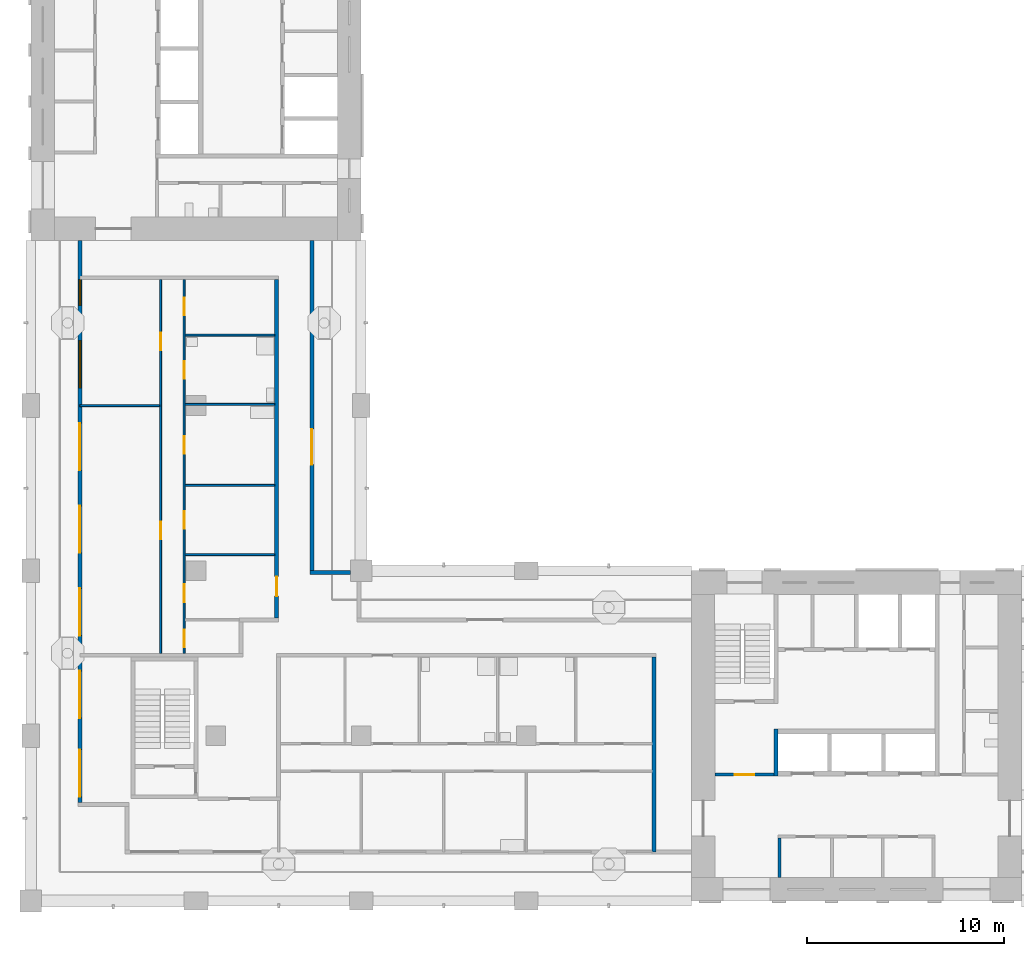
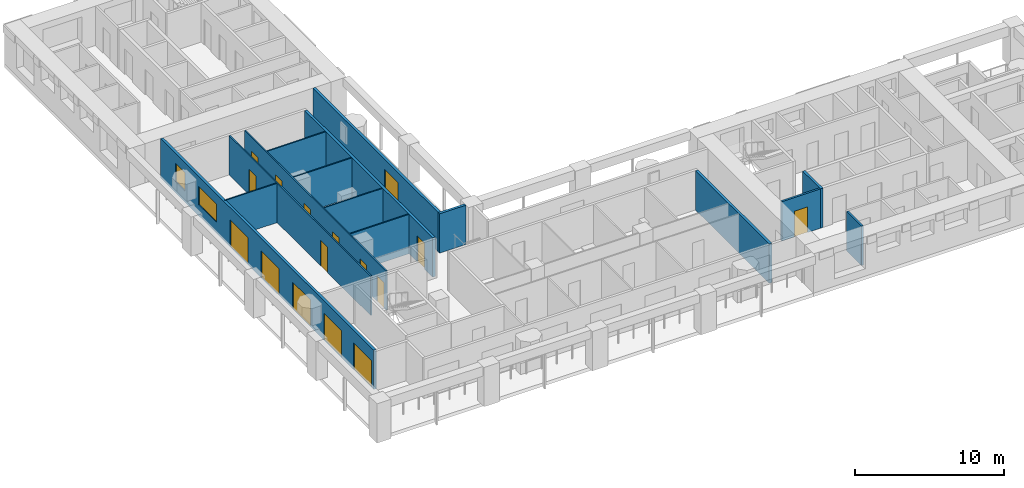
# One storey, part 3 of 13: 16 doors, 15 walls, 2 windows, 18 openings.
"""IFC4 building model written with IfcOpenShell, lengths in metres."""

from ifc_helpers import new_model, si_unit, direction, frame, frame_2d, origin, place, context, subcontext, project, spatial, rectangle, extrude, material, layer, layer_set, type_object, element, fill, save


model = new_model("IFC4")

# Units and contexts
model_context = context("Model", 3, precision=1e-05, world=origin(), true_north=direction((0.0, 1.0)))
body_context = subcontext(model_context, "Body", "Model", "MODEL_VIEW")
ifc_project = project(units=[si_unit("LENGTHUNIT", "METRE"), si_unit("AREAUNIT", "SQUARE_METRE"), si_unit("VOLUMEUNIT", "CUBIC_METRE"), si_unit("PLANEANGLEUNIT", "RADIAN"), si_unit("MASSUNIT", "GRAM", prefix="KILO")], contexts=[model_context])

# Site, building, storey
site_placement = place(None, origin())
site = spatial("IfcSite", under=ifc_project, at=site_placement, CompositionType="ELEMENT")
building_placement = place(site_placement, origin())
building = spatial("IfcBuilding", under=site, at=building_placement, Name="Vermilion Gate Residences", CompositionType="ELEMENT")
storey_placement = place(building_placement, frame((0.0, 0.0, 193.199951171875)))
storey = spatial("IfcBuildingStorey", under=building, at=storey_placement, Name="L50", CompositionType="ELEMENT", Elevation=193.199951171875)

# Wall
ifc_material_1 = material(Name="Masonry blockwork", Category="masonry")
ifc_layer_1 = layer(ifc_material_1, 0.14990234375)
ifc_layer_set_1 = layer_set([ifc_layer_1], Name="BLOCKWORK PARTITION 150 EI 120")
wall_type_1 = type_object("IfcWallType", Name="BLOCKWORK PARTITION 150 EI 120", PredefinedType="PARTITIONING", material=ifc_layer_set_1)
wall_1_placement = place(storey_placement, frame((46.47509765625, 9.60009765625, 0.0), z_axis=(0.0, 0.0, 1.0), x_axis=(0.0, 1.0, 0.0)))
element("IfcWall", 1, at=wall_1_placement, inside=storey, type_object=wall_type_1, Name="Core room partition A50-RW-W", PredefinedType="PARTITIONING", context=body_context, shape_type="SweptSolid", body=[
    extrude(rectangle(XDim=2.0, YDim=0.14990234375, at=frame_2d((1.0, 0.0))), origin(), (0.0, 0.0, 1.0), 3.219970703125),
])

# Wall, opening, door
wall_2_placement = place(storey_placement, frame((43.199951171875, 14.824951171875, 0.0), z_axis=(0.0, 0.0, 1.0), x_axis=(1.0, 0.0, 0.0)))
wall_2 = element("IfcWall", 2, at=wall_2_placement, inside=storey, type_object=wall_type_1, Name="Core room partition A50-VW-S", PredefinedType="PARTITIONING", context=body_context, shape_type="SweptSolid", body=[
    extrude(rectangle(XDim=3.0, YDim=0.14990234375, at=frame_2d((1.5, 0.0))), origin(), (0.0, 0.0, 1.0), 3.219970703125),
])
opening_1_placement = place(wall_2_placement, frame((1.0, 0.0, 0.0)))
opening_1 = element("IfcOpeningElement", 3, at=opening_1_placement, cuts=wall_2, Name="Opening DK50013", PredefinedType="OPENING", context=body_context, shape_type="SweptSolid", body=[
    extrude(rectangle(XDim=1.0, YDim=2.10009765625, at=frame_2d((0.5, 1.050048828125))), frame((0.0, 0.0849609375, 0.0), z_axis=(0.0, -1.0, 0.0), x_axis=(1.0, 0.0, 0.0)), (0.0, 0.0, 1.0), 0.169921875),
])
ifc_material_2 = material(Name="Steel", Category="steel")
door_type_1 = type_object("IfcDoorType", Name="FIRE DOOR FD60 1000 X 2100", OperationType="SINGLE_SWING_LEFT", PredefinedType="DOOR", material=ifc_material_2)
door_1_placement = place(opening_1_placement, frame((1.0, 0.0, 0.0), z_axis=(0.0, 0.0, 1.0), x_axis=(-1.0, 0.0, 0.0)))
door_1 = element("IfcDoor", 4, at=door_1_placement, inside=storey, type_object=door_type_1, Name="Stair vestibule door A50", OperationType="SINGLE_SWING_RIGHT", OverallHeight=2.10009765625, OverallWidth=1.0, PredefinedType="DOOR", context=body_context, shape_type="SweptSolid", body=[
    extrude(rectangle(XDim=1.0, YDim=2.10009765625, at=frame_2d((0.5, 1.050048828125))), frame((0.0, 0.02490234375, 0.0), z_axis=(0.0, -1.0, 0.0), x_axis=(1.0, 0.0, 0.0)), (0.0, 0.0, 1.0), 0.050048828125),
])
fill(opening_1, door_1)

# Wall, openings, doors, windows
ifc_material_3 = material(Name="Insulated steel stud wall with terracotta rainscreen", Category="masonry")
ifc_layer_2 = layer(ifc_material_3, 0.199951171875)
ifc_layer_set_2 = layer_set([ifc_layer_2], Name="EXTERNAL WALL 200 TERRACOTTA RAINSCREEN")
wall_type_2 = type_object("IfcWallType", Name="EXTERNAL WALL 200 TERRACOTTA RAINSCREEN", PredefinedType="SOLIDWALL", material=ifc_layer_set_2)
wall_3_placement = place(storey_placement, frame((10.89990234375, 42.0, 0.0), z_axis=(0.0, 0.0, 1.0), x_axis=(0.0, -1.0, 0.0)))
wall_3 = element("IfcWall", 5, at=wall_3_placement, inside=storey, type_object=wall_type_2, Name="External wall", PredefinedType="SOLIDWALL", context=body_context, shape_type="SweptSolid", body=[
    extrude(rectangle(XDim=28.60009765625, YDim=0.199951171875, at=frame_2d((14.300048828125, 0.0))), origin(), (0.0, 0.0, 1.0), 3.219970703125),
])
opening_2_placement = place(wall_3_placement, frame((25.89990234375, 0.0, 0.0)))
opening_2 = element("IfcOpeningElement", 6, at=opening_2_placement, cuts=wall_3, Name="Opening DE50001", PredefinedType="OPENING", context=body_context, shape_type="SweptSolid", body=[
    extrude(rectangle(XDim=2.39990234375, YDim=2.199951171875, at=frame_2d((1.199951171875, 1.10009765625))), frame((0.0, 0.10986328125, 0.0), z_axis=(0.0, -1.0, 0.0), x_axis=(1.0, 0.0, 0.0)), (0.0, 0.0, 1.0), 0.219970703125),
])
opening_3_placement = place(wall_3_placement, frame((21.89990234375, 0.0, 0.0)))
opening_3 = element("IfcOpeningElement", 7, at=opening_3_placement, cuts=wall_3, Name="Opening DE50002", PredefinedType="OPENING", context=body_context, shape_type="SweptSolid", body=[
    extrude(rectangle(XDim=2.39990234375, YDim=2.199951171875, at=frame_2d((1.199951171875, 1.10009765625))), frame((0.0, 0.10986328125, 0.0), z_axis=(0.0, -1.0, 0.0), x_axis=(1.0, 0.0, 0.0)), (0.0, 0.0, 1.0), 0.219970703125),
])
opening_4_placement = place(wall_3_placement, frame((17.699951171875, 0.0, 0.0)))
opening_4 = element("IfcOpeningElement", 8, at=opening_4_placement, cuts=wall_3, Name="Opening DE50003", PredefinedType="OPENING", context=body_context, shape_type="SweptSolid", body=[
    extrude(rectangle(XDim=2.39990234375, YDim=2.199951171875, at=frame_2d((1.199951171875, 1.10009765625))), frame((0.0, 0.10986328125, 0.0), z_axis=(0.0, -1.0, 0.0), x_axis=(1.0, 0.0, 0.0)), (0.0, 0.0, 1.0), 0.219970703125),
])
opening_5_placement = place(wall_3_placement, frame((13.5, 0.0, 0.0)))
opening_5 = element("IfcOpeningElement", 9, at=opening_5_placement, cuts=wall_3, Name="Opening DE50004", PredefinedType="OPENING", context=body_context, shape_type="SweptSolid", body=[
    extrude(rectangle(XDim=2.39990234375, YDim=2.199951171875, at=frame_2d((1.199951171875, 1.10009765625))), frame((0.0, 0.10986328125, 0.0), z_axis=(0.0, -1.0, 0.0), x_axis=(1.0, 0.0, 0.0)), (0.0, 0.0, 1.0), 0.219970703125),
])
opening_6_placement = place(wall_3_placement, frame((9.300048828125, 0.0, 0.0)))
opening_6 = element("IfcOpeningElement", 10, at=opening_6_placement, cuts=wall_3, Name="Opening DE50005", PredefinedType="OPENING", context=body_context, shape_type="SweptSolid", body=[
    extrude(rectangle(XDim=2.39990234375, YDim=2.199951171875, at=frame_2d((1.199951171875, 1.10009765625))), frame((0.0, 0.10986328125, 0.0), z_axis=(0.0, -1.0, 0.0), x_axis=(1.0, 0.0, 0.0)), (0.0, 0.0, 1.0), 0.219970703125),
])
opening_7_placement = place(wall_3_placement, frame((5.10009765625, 0.0, 0.89990234375)))
opening_7 = element("IfcOpeningElement", 11, at=opening_7_placement, cuts=wall_3, Name="Opening WE50006", PredefinedType="OPENING", context=body_context, shape_type="SweptSolid", body=[
    extrude(rectangle(XDim=2.39990234375, YDim=1.5, at=frame_2d((1.199951171875, 0.75))), frame((0.0, 0.10986328125, 0.0), z_axis=(0.0, -1.0, 0.0), x_axis=(1.0, 0.0, 0.0)), (0.0, 0.0, 1.0), 0.219970703125),
])
opening_8_placement = place(wall_3_placement, frame((2.0, 0.0, 0.89990234375)))
opening_8 = element("IfcOpeningElement", 12, at=opening_8_placement, cuts=wall_3, Name="Opening WE50007", PredefinedType="OPENING", context=body_context, shape_type="SweptSolid", body=[
    extrude(rectangle(XDim=1.300048828125, YDim=1.5, at=frame_2d((0.64990234375, 0.75))), frame((0.0, 0.10986328125, 0.0), z_axis=(0.0, -1.0, 0.0), x_axis=(1.0, 0.0, 0.0)), (0.0, 0.0, 1.0), 0.219970703125),
])
ifc_material_4 = material(Name="Aluminium and clear glass", Category="aluminium")
door_type_2 = type_object("IfcDoorType", Name="SLIDING GLAZED DOOR 2400 X 2200", OperationType="DOUBLE_DOOR_SLIDING", PredefinedType="DOOR", material=ifc_material_4)
door_2_placement = place(opening_2_placement, origin())
door_2 = element("IfcDoor", 13, at=door_2_placement, inside=storey, type_object=door_type_2, Name="Loggia sliding door", OperationType="DOUBLE_DOOR_SLIDING", OverallHeight=2.199951171875, OverallWidth=2.39990234375, PredefinedType="DOOR", context=body_context, shape_type="SweptSolid", body=[
    extrude(rectangle(XDim=2.39990234375, YDim=2.199951171875, at=frame_2d((1.199951171875, 1.10009765625))), frame((0.0, 0.02490234375, 0.0), z_axis=(0.0, -1.0, 0.0), x_axis=(1.0, 0.0, 0.0)), (0.0, 0.0, 1.0), 0.050048828125),
])
fill(opening_2, door_2)
door_3_placement = place(opening_3_placement, origin())
door_3 = element("IfcDoor", 14, at=door_3_placement, inside=storey, type_object=door_type_2, Name="Loggia sliding door", OperationType="DOUBLE_DOOR_SLIDING", OverallHeight=2.199951171875, OverallWidth=2.39990234375, PredefinedType="DOOR", context=body_context, shape_type="SweptSolid", body=[
    extrude(rectangle(XDim=2.39990234375, YDim=2.199951171875, at=frame_2d((1.199951171875, 1.10009765625))), frame((0.0, 0.02490234375, 0.0), z_axis=(0.0, -1.0, 0.0), x_axis=(1.0, 0.0, 0.0)), (0.0, 0.0, 1.0), 0.050048828125),
])
fill(opening_3, door_3)
door_4_placement = place(opening_4_placement, origin())
door_4 = element("IfcDoor", 15, at=door_4_placement, inside=storey, type_object=door_type_2, Name="Loggia sliding door", OperationType="DOUBLE_DOOR_SLIDING", OverallHeight=2.199951171875, OverallWidth=2.39990234375, PredefinedType="DOOR", context=body_context, shape_type="SweptSolid", body=[
    extrude(rectangle(XDim=2.39990234375, YDim=2.199951171875, at=frame_2d((1.199951171875, 1.10009765625))), frame((0.0, 0.02490234375, 0.0), z_axis=(0.0, -1.0, 0.0), x_axis=(1.0, 0.0, 0.0)), (0.0, 0.0, 1.0), 0.050048828125),
])
fill(opening_4, door_4)
door_5_placement = place(opening_5_placement, origin())
door_5 = element("IfcDoor", 16, at=door_5_placement, inside=storey, type_object=door_type_2, Name="Loggia sliding door", OperationType="DOUBLE_DOOR_SLIDING", OverallHeight=2.199951171875, OverallWidth=2.39990234375, PredefinedType="DOOR", context=body_context, shape_type="SweptSolid", body=[
    extrude(rectangle(XDim=2.39990234375, YDim=2.199951171875, at=frame_2d((1.199951171875, 1.10009765625))), frame((0.0, 0.02490234375, 0.0), z_axis=(0.0, -1.0, 0.0), x_axis=(1.0, 0.0, 0.0)), (0.0, 0.0, 1.0), 0.050048828125),
])
fill(opening_5, door_5)
door_6_placement = place(opening_6_placement, origin())
door_6 = element("IfcDoor", 17, at=door_6_placement, inside=storey, type_object=door_type_2, Name="Loggia sliding door", OperationType="DOUBLE_DOOR_SLIDING", OverallHeight=2.199951171875, OverallWidth=2.39990234375, PredefinedType="DOOR", context=body_context, shape_type="SweptSolid", body=[
    extrude(rectangle(XDim=2.39990234375, YDim=2.199951171875, at=frame_2d((1.199951171875, 1.10009765625))), frame((0.0, 0.02490234375, 0.0), z_axis=(0.0, -1.0, 0.0), x_axis=(1.0, 0.0, 0.0)), (0.0, 0.0, 1.0), 0.050048828125),
])
fill(opening_6, door_6)
ifc_material_5 = material(Name="Aluminium and clear glass", Category="aluminium")
window_type_1 = type_object("IfcWindowType", Name="WINDOW 1300 X 1500", PartitioningType="SINGLE_PANEL", PredefinedType="WINDOW", material=ifc_material_5)
window_1_placement = place(opening_8_placement, origin())
window_1 = element("IfcWindow", 18, at=window_1_placement, inside=storey, type_object=window_type_1, Name="Window", OverallHeight=1.5, OverallWidth=1.300048828125, PartitioningType="SINGLE_PANEL", PredefinedType="WINDOW", context=body_context, shape_type="SweptSolid", body=[
    extrude(rectangle(XDim=1.300048828125, YDim=1.5, at=frame_2d((0.64990234375, 0.75))), frame((0.0, 0.030029296875, 0.0), z_axis=(0.0, -1.0, 0.0), x_axis=(1.0, 0.0, 0.0)), (0.0, 0.0, 1.0), 0.06005859375),
])
fill(opening_8, window_1)
ifc_material_6 = material(Name="Aluminium and clear glass", Category="aluminium")
window_type_2 = type_object("IfcWindowType", Name="WINDOW 2400 X 1500", PartitioningType="SINGLE_PANEL", PredefinedType="WINDOW", material=ifc_material_6)
window_2_placement = place(opening_7_placement, origin())
window_2 = element("IfcWindow", 19, at=window_2_placement, inside=storey, type_object=window_type_2, Name="Window", OverallHeight=1.5, OverallWidth=2.39990234375, PartitioningType="SINGLE_PANEL", PredefinedType="WINDOW", context=body_context, shape_type="SweptSolid", body=[
    extrude(rectangle(XDim=2.39990234375, YDim=1.5, at=frame_2d((1.199951171875, 0.75))), frame((0.0, 0.030029296875, 0.0), z_axis=(0.0, -1.0, 0.0), x_axis=(1.0, 0.0, 0.0)), (0.0, 0.0, 1.0), 0.06005859375),
])
fill(opening_7, window_2)

# Wall
wall_4_placement = place(storey_placement, frame((24.64990234375, 25.10009765625, 0.0), z_axis=(0.0, 0.0, 1.0), x_axis=(-1.0, 0.0, 0.0)))
element("IfcWall", 20, at=wall_4_placement, inside=storey, type_object=wall_type_2, Name="External wall", PredefinedType="SOLIDWALL", context=body_context, shape_type="SweptSolid", body=[
    extrude(rectangle(XDim=2.0498046875, YDim=0.199951171875, at=frame_2d((1.02490234375, 0.0))), origin(), (0.0, 0.0, 1.0), 3.219970703125),
])

# Wall, opening, door
wall_5_placement = place(storey_placement, frame((22.699951171875, 25.199951171875, 0.0), z_axis=(0.0, 0.0, 1.0), x_axis=(0.0, 1.0, 0.0)))
wall_5 = element("IfcWall", 21, at=wall_5_placement, inside=storey, type_object=wall_type_2, Name="External wall", PredefinedType="SOLIDWALL", context=body_context, shape_type="SweptSolid", body=[
    extrude(rectangle(XDim=16.800048828125, YDim=0.199951171875, at=frame_2d((8.39990234375, 0.0))), origin(), (0.0, 0.0, 1.0), 3.219970703125),
])
opening_9_placement = place(wall_5_placement, frame((5.39990234375, 0.0, 0.0)))
opening_9 = element("IfcOpeningElement", 22, at=opening_9_placement, cuts=wall_5, Name="Opening DE50021", PredefinedType="OPENING", context=body_context, shape_type="SweptSolid", body=[
    extrude(rectangle(XDim=1.800048828125, YDim=2.39990234375, at=frame_2d((0.89990234375, 1.199951171875))), frame((0.0, 0.10986328125, 0.0), z_axis=(0.0, -1.0, 0.0), x_axis=(1.0, 0.0, 0.0)), (0.0, 0.0, 1.0), 0.219970703125),
])
ifc_material_7 = material(Name="Aluminium and clear glass", Category="aluminium")
door_type_3 = type_object("IfcDoorType", Name="GLAZED EXTERNAL DOOR 1800 X 2400", OperationType="DOUBLE_DOOR_SINGLE_SWING", PredefinedType="DOOR", material=ifc_material_7)
door_7_placement = place(opening_9_placement, frame((1.800048828125, 0.0, 0.0), z_axis=(0.0, 0.0, 1.0), x_axis=(-1.0, 0.0, 0.0)))
door_7 = element("IfcDoor", 23, at=door_7_placement, inside=storey, type_object=door_type_3, Name="Gallery door", OperationType="DOUBLE_DOOR_SINGLE_SWING", OverallHeight=2.39990234375, OverallWidth=1.800048828125, PredefinedType="DOOR", context=body_context, shape_type="SweptSolid", body=[
    extrude(rectangle(XDim=1.800048828125, YDim=2.39990234375, at=frame_2d((0.89990234375, 1.199951171875))), frame((0.0, 0.02490234375, 0.0), z_axis=(0.0, -1.0, 0.0), x_axis=(1.0, 0.0, 0.0)), (0.0, 0.0, 1.0), 0.050048828125),
])
fill(opening_9, door_7)

# Walls
ifc_material_8 = material(Name="Plasterboard on steel studs", Category="steel")
ifc_layer_3 = layer(ifc_material_8, 0.10009765625)
ifc_layer_set_3 = layer_set([ifc_layer_3], Name="PARTITION 100")
wall_type_3 = type_object("IfcWallType", Name="PARTITION 100", PredefinedType="PARTITIONING", material=ifc_layer_set_3)
for number, where, z_axis, x_axis, name in (
    (24, (16.25, 26.02001953125, 0.0), (0.0, 0.0, 1.0), (1.0, 0.0, 0.0), "Partition"),
    (25, (16.25, 29.5400390625, 0.0), (0.0, 0.0, 1.0), (1.0, 0.0, 0.0), "Partition"),
):
    element("IfcWall", number, at=place(storey_placement, frame(where, z_axis=z_axis, x_axis=x_axis)), inside=storey, type_object=wall_type_3, Name=name, PredefinedType="PARTITIONING", context=body_context, shape_type="SweptSolid", body=[
        extrude(rectangle(XDim=4.550048828125, YDim=0.10009765625, at=frame_2d((2.27490234375, 0.0))), origin(), (0.0, 0.0, 1.0), 3.219970703125),
    ])
wall_6_placement = place(storey_placement, frame((10.89990234375, 33.60009765625, 0.0), z_axis=(0.0, 0.0, 1.0), x_axis=(1.0, 0.0, 0.0)))
element("IfcWall", 26, at=wall_6_placement, inside=storey, type_object=wall_type_3, Name="Partition", PredefinedType="PARTITIONING", context=body_context, shape_type="SweptSolid", body=[
    extrude(rectangle(XDim=4.050048828125, YDim=0.10009765625, at=frame_2d((2.02490234375, 0.0))), origin(), (0.0, 0.0, 1.0), 3.219970703125),
])
for number, where, z_axis, x_axis, name in (
    (27, (16.25, 33.659912109375, 0.0), (0.0, 0.0, 1.0), (1.0, 0.0, 0.0), "Partition"),
    (28, (16.25, 37.179931640625, 0.0), (0.0, 0.0, 1.0), (1.0, 0.0, 0.0), "Partition"),
):
    element("IfcWall", number, at=place(storey_placement, frame(where, z_axis=z_axis, x_axis=x_axis)), inside=storey, type_object=wall_type_3, Name=name, PredefinedType="PARTITIONING", context=body_context, shape_type="SweptSolid", body=[
        extrude(rectangle(XDim=4.550048828125, YDim=0.10009765625, at=frame_2d((2.27490234375, 0.0))), origin(), (0.0, 0.0, 1.0), 3.219970703125),
    ])

# Wall, openings, doors
wall_7_placement = place(storey_placement, frame((15.0, 21.0, 0.0), z_axis=(0.0, 0.0, 1.0), x_axis=(0.0, 1.0, 0.0)))
wall_7 = element("IfcWall", 29, at=wall_7_placement, inside=storey, type_object=wall_type_3, Name="Partition", PredefinedType="PARTITIONING", context=body_context, shape_type="SweptSolid", body=[
    extrude(rectangle(XDim=19.0, YDim=0.10009765625, at=frame_2d((9.5, 0.0))), origin(), (0.0, 0.0, 1.0), 3.219970703125),
])
opening_10_placement = place(wall_7_placement, frame((5.800048828125, 0.0, 0.0)))
opening_10 = element("IfcOpeningElement", 30, at=opening_10_placement, cuts=wall_7, Name="Opening DA49012", PredefinedType="OPENING", context=body_context, shape_type="SweptSolid", body=[
    extrude(rectangle(XDim=0.89990234375, YDim=2.10009765625, at=frame_2d((0.449951171875, 1.050048828125))), frame((0.0, 0.06005859375, 0.0), z_axis=(0.0, -1.0, 0.0), x_axis=(1.0, 0.0, 0.0)), (0.0, 0.0, 1.0), 0.1201171875),
])
opening_11_placement = place(wall_7_placement, frame((15.39990234375, 0.0, 0.0)))
opening_11 = element("IfcOpeningElement", 31, at=opening_11_placement, cuts=wall_7, Name="Opening DA49013", PredefinedType="OPENING", context=body_context, shape_type="SweptSolid", body=[
    extrude(rectangle(XDim=0.89990234375, YDim=2.10009765625, at=frame_2d((0.449951171875, 1.050048828125))), frame((0.0, 0.06005859375, 0.0), z_axis=(0.0, -1.0, 0.0), x_axis=(1.0, 0.0, 0.0)), (0.0, 0.0, 1.0), 0.1201171875),
])
ifc_material_9 = material(Name="Timber", Category="wood")
door_type_4 = type_object("IfcDoorType", Name="INTERIOR DOOR 900 X 2100", OperationType="SINGLE_SWING_LEFT", PredefinedType="DOOR", material=ifc_material_9)
door_8_placement = place(opening_10_placement, origin())
door_8 = element("IfcDoor", 32, at=door_8_placement, inside=storey, type_object=door_type_4, Name="Interior door", OperationType="SINGLE_SWING_LEFT", OverallHeight=2.10009765625, OverallWidth=0.89990234375, PredefinedType="DOOR", context=body_context, shape_type="SweptSolid", body=[
    extrude(rectangle(XDim=0.89990234375, YDim=2.10009765625, at=frame_2d((0.449951171875, 1.050048828125))), frame((0.0, 0.02490234375, 0.0), z_axis=(0.0, -1.0, 0.0), x_axis=(1.0, 0.0, 0.0)), (0.0, 0.0, 1.0), 0.050048828125),
])
fill(opening_10, door_8)
door_9_placement = place(opening_11_placement, origin())
door_9 = element("IfcDoor", 33, at=door_9_placement, inside=storey, type_object=door_type_4, Name="Interior door", OperationType="SINGLE_SWING_RIGHT", OverallHeight=2.10009765625, OverallWidth=0.89990234375, PredefinedType="DOOR", context=body_context, shape_type="SweptSolid", body=[
    extrude(rectangle(XDim=0.89990234375, YDim=2.10009765625, at=frame_2d((0.449951171875, 1.050048828125))), frame((0.0, 0.02490234375, 0.0), z_axis=(0.0, -1.0, 0.0), x_axis=(1.0, 0.0, 0.0)), (0.0, 0.0, 1.0), 0.050048828125),
])
fill(opening_11, door_9)

wall_8_placement = place(storey_placement, frame((16.199951171875, 21.0, 0.0), z_axis=(0.0, 0.0, 1.0), x_axis=(0.0, 1.0, 0.0)))
wall_8 = element("IfcWall", 34, at=wall_8_placement, inside=storey, type_object=wall_type_3, Name="Partition", PredefinedType="PARTITIONING", context=body_context, shape_type="SweptSolid", body=[
    extrude(rectangle(XDim=19.0, YDim=0.10009765625, at=frame_2d((9.5, 0.0))), origin(), (0.0, 0.0, 1.0), 3.219970703125),
])
opening_12_placement = place(wall_8_placement, frame((2.60009765625, 0.0, 0.0)))
opening_12 = element("IfcOpeningElement", 35, at=opening_12_placement, cuts=wall_8, Name="Opening DA49014", PredefinedType="OPENING", context=body_context, shape_type="SweptSolid", body=[
    extrude(rectangle(XDim=0.89990234375, YDim=2.10009765625, at=frame_2d((0.449951171875, 1.050048828125))), frame((0.0, 0.06005859375, 0.0), z_axis=(0.0, -1.0, 0.0), x_axis=(1.0, 0.0, 0.0)), (0.0, 0.0, 1.0), 0.1201171875),
])
opening_13_placement = place(wall_8_placement, frame((0.300048828125, 0.0, 0.0)))
opening_13 = element("IfcOpeningElement", 36, at=opening_13_placement, cuts=wall_8, Name="Opening DA49015", PredefinedType="OPENING", context=body_context, shape_type="SweptSolid", body=[
    extrude(rectangle(XDim=0.89990234375, YDim=2.10009765625, at=frame_2d((0.449951171875, 1.050048828125))), frame((0.0, 0.06005859375, 0.0), z_axis=(0.0, -1.0, 0.0), x_axis=(1.0, 0.0, 0.0)), (0.0, 0.0, 1.0), 0.1201171875),
])
opening_14_placement = place(wall_8_placement, frame((6.320068359375, 0.0, 0.0)))
opening_14 = element("IfcOpeningElement", 37, at=opening_14_placement, cuts=wall_8, Name="Opening DA49016", PredefinedType="OPENING", context=body_context, shape_type="SweptSolid", body=[
    extrude(rectangle(XDim=0.89990234375, YDim=2.10009765625, at=frame_2d((0.449951171875, 1.050048828125))), frame((0.0, 0.06005859375, 0.0), z_axis=(0.0, -1.0, 0.0), x_axis=(1.0, 0.0, 0.0)), (0.0, 0.0, 1.0), 0.1201171875),
])
opening_15_placement = place(wall_8_placement, frame((10.139892578125, 0.0, 0.0)))
opening_15 = element("IfcOpeningElement", 38, at=opening_15_placement, cuts=wall_8, Name="Opening DA49017", PredefinedType="OPENING", context=body_context, shape_type="SweptSolid", body=[
    extrude(rectangle(XDim=0.89990234375, YDim=2.10009765625, at=frame_2d((0.449951171875, 1.050048828125))), frame((0.0, 0.06005859375, 0.0), z_axis=(0.0, -1.0, 0.0), x_axis=(1.0, 0.0, 0.0)), (0.0, 0.0, 1.0), 0.1201171875),
])
opening_16_placement = place(wall_8_placement, frame((13.9599609375, 0.0, 0.0)))
opening_16 = element("IfcOpeningElement", 39, at=opening_16_placement, cuts=wall_8, Name="Opening DA49018", PredefinedType="OPENING", context=body_context, shape_type="SweptSolid", body=[
    extrude(rectangle(XDim=0.89990234375, YDim=2.10009765625, at=frame_2d((0.449951171875, 1.050048828125))), frame((0.0, 0.06005859375, 0.0), z_axis=(0.0, -1.0, 0.0), x_axis=(1.0, 0.0, 0.0)), (0.0, 0.0, 1.0), 0.1201171875),
])
opening_17_placement = place(wall_8_placement, frame((17.179931640625, 0.0, 0.0)))
opening_17 = element("IfcOpeningElement", 40, at=opening_17_placement, cuts=wall_8, Name="Opening DA49019", PredefinedType="OPENING", context=body_context, shape_type="SweptSolid", body=[
    extrude(rectangle(XDim=0.89990234375, YDim=2.10009765625, at=frame_2d((0.449951171875, 1.050048828125))), frame((0.0, 0.06005859375, 0.0), z_axis=(0.0, -1.0, 0.0), x_axis=(1.0, 0.0, 0.0)), (0.0, 0.0, 1.0), 0.1201171875),
])
door_10_placement = place(opening_12_placement, frame((0.89990234375, 0.0, 0.0), z_axis=(0.0, 0.0, 1.0), x_axis=(-1.0, 0.0, 0.0)))
door_10 = element("IfcDoor", 41, at=door_10_placement, inside=storey, type_object=door_type_4, Name="Interior door", OperationType="SINGLE_SWING_LEFT", OverallHeight=2.10009765625, OverallWidth=0.89990234375, PredefinedType="DOOR", context=body_context, shape_type="SweptSolid", body=[
    extrude(rectangle(XDim=0.89990234375, YDim=2.10009765625, at=frame_2d((0.449951171875, 1.050048828125))), frame((0.0, 0.02490234375, 0.0), z_axis=(0.0, -1.0, 0.0), x_axis=(1.0, 0.0, 0.0)), (0.0, 0.0, 1.0), 0.050048828125),
])
fill(opening_12, door_10)
door_11_placement = place(opening_13_placement, frame((0.89990234375, 0.0, 0.0), z_axis=(0.0, 0.0, 1.0), x_axis=(-1.0, 0.0, 0.0)))
door_11 = element("IfcDoor", 42, at=door_11_placement, inside=storey, type_object=door_type_4, Name="Interior door", OperationType="SINGLE_SWING_RIGHT", OverallHeight=2.10009765625, OverallWidth=0.89990234375, PredefinedType="DOOR", context=body_context, shape_type="SweptSolid", body=[
    extrude(rectangle(XDim=0.89990234375, YDim=2.10009765625, at=frame_2d((0.449951171875, 1.050048828125))), frame((0.0, 0.02490234375, 0.0), z_axis=(0.0, -1.0, 0.0), x_axis=(1.0, 0.0, 0.0)), (0.0, 0.0, 1.0), 0.050048828125),
])
fill(opening_13, door_11)
door_12_placement = place(opening_14_placement, frame((0.89990234375, 0.0, 0.0), z_axis=(0.0, 0.0, 1.0), x_axis=(-1.0, 0.0, 0.0)))
door_12 = element("IfcDoor", 43, at=door_12_placement, inside=storey, type_object=door_type_4, Name="Interior door", OperationType="SINGLE_SWING_RIGHT", OverallHeight=2.10009765625, OverallWidth=0.89990234375, PredefinedType="DOOR", context=body_context, shape_type="SweptSolid", body=[
    extrude(rectangle(XDim=0.89990234375, YDim=2.10009765625, at=frame_2d((0.449951171875, 1.050048828125))), frame((0.0, 0.02490234375, 0.0), z_axis=(0.0, -1.0, 0.0), x_axis=(1.0, 0.0, 0.0)), (0.0, 0.0, 1.0), 0.050048828125),
])
fill(opening_14, door_12)
door_13_placement = place(opening_15_placement, frame((0.89990234375, 0.0, 0.0), z_axis=(0.0, 0.0, 1.0), x_axis=(-1.0, 0.0, 0.0)))
door_13 = element("IfcDoor", 44, at=door_13_placement, inside=storey, type_object=door_type_4, Name="Interior door", OperationType="SINGLE_SWING_LEFT", OverallHeight=2.10009765625, OverallWidth=0.89990234375, PredefinedType="DOOR", context=body_context, shape_type="SweptSolid", body=[
    extrude(rectangle(XDim=0.89990234375, YDim=2.10009765625, at=frame_2d((0.449951171875, 1.050048828125))), frame((0.0, 0.02490234375, 0.0), z_axis=(0.0, -1.0, 0.0), x_axis=(1.0, 0.0, 0.0)), (0.0, 0.0, 1.0), 0.050048828125),
])
fill(opening_15, door_13)
door_14_placement = place(opening_16_placement, frame((0.89990234375, 0.0, 0.0), z_axis=(0.0, 0.0, 1.0), x_axis=(-1.0, 0.0, 0.0)))
door_14 = element("IfcDoor", 45, at=door_14_placement, inside=storey, type_object=door_type_4, Name="Interior door", OperationType="SINGLE_SWING_LEFT", OverallHeight=2.10009765625, OverallWidth=0.89990234375, PredefinedType="DOOR", context=body_context, shape_type="SweptSolid", body=[
    extrude(rectangle(XDim=0.89990234375, YDim=2.10009765625, at=frame_2d((0.449951171875, 1.050048828125))), frame((0.0, 0.02490234375, 0.0), z_axis=(0.0, -1.0, 0.0), x_axis=(1.0, 0.0, 0.0)), (0.0, 0.0, 1.0), 0.050048828125),
])
fill(opening_16, door_14)
door_15_placement = place(opening_17_placement, frame((0.89990234375, 0.0, 0.0), z_axis=(0.0, 0.0, 1.0), x_axis=(-1.0, 0.0, 0.0)))
door_15 = element("IfcDoor", 46, at=door_15_placement, inside=storey, type_object=door_type_4, Name="Interior door", OperationType="SINGLE_SWING_LEFT", OverallHeight=2.10009765625, OverallWidth=0.89990234375, PredefinedType="DOOR", context=body_context, shape_type="SweptSolid", body=[
    extrude(rectangle(XDim=0.89990234375, YDim=2.10009765625, at=frame_2d((0.449951171875, 1.050048828125))), frame((0.0, 0.02490234375, 0.0), z_axis=(0.0, -1.0, 0.0), x_axis=(1.0, 0.0, 0.0)), (0.0, 0.0, 1.0), 0.050048828125),
])
fill(opening_17, door_15)

# Wall, opening, door
ifc_material_10 = material(Name="Fire-rated plasterboard on steel studs", Category="steel")
ifc_layer_4 = layer(ifc_material_10, 0.199951171875)
ifc_layer_set_4 = layer_set([ifc_layer_4], Name="PARTY WALL 200 EI 120")
wall_type_4 = type_object("IfcWallType", Name="PARTY WALL 200 EI 120", PredefinedType="PARTITIONING", material=ifc_layer_set_4)
wall_9_placement = place(storey_placement, frame((20.89990234375, 22.800048828125, 0.0), z_axis=(0.0, 0.0, 1.0), x_axis=(0.0, 1.0, 0.0)))
wall_9 = element("IfcWall", 47, at=wall_9_placement, inside=storey, type_object=wall_type_4, Name="Party and corridor wall", PredefinedType="PARTITIONING", context=body_context, shape_type="SweptSolid", body=[
    extrude(rectangle(XDim=17.199951171875, YDim=0.199951171875, at=frame_2d((8.60009765625, 0.0))), origin(), (0.0, 0.0, 1.0), 3.219970703125),
])
opening_18_placement = place(wall_9_placement, frame((1.10009765625, 0.0, 0.0)))
opening_18 = element("IfcOpeningElement", 48, at=opening_18_placement, cuts=wall_9, Name="Opening DA49020", PredefinedType="OPENING", context=body_context, shape_type="SweptSolid", body=[
    extrude(rectangle(XDim=1.0, YDim=2.10009765625, at=frame_2d((0.5, 1.050048828125))), frame((0.0, 0.10986328125, 0.0), z_axis=(0.0, -1.0, 0.0), x_axis=(1.0, 0.0, 0.0)), (0.0, 0.0, 1.0), 0.219970703125),
])
ifc_material_11 = material(Name="Steel", Category="steel")
door_type_5 = type_object("IfcDoorType", Name="ENTRANCE DOOR 1000 X 2100 FD30", OperationType="SINGLE_SWING_LEFT", PredefinedType="DOOR", material=ifc_material_11)
door_16_placement = place(opening_18_placement, origin())
door_16 = element("IfcDoor", 49, at=door_16_placement, inside=storey, type_object=door_type_5, Name="Entrance door", OperationType="SINGLE_SWING_RIGHT", OverallHeight=2.10009765625, OverallWidth=1.0, PredefinedType="DOOR", context=body_context, shape_type="SweptSolid", body=[
    extrude(rectangle(XDim=1.0, YDim=2.10009765625, at=frame_2d((0.5, 1.050048828125))), frame((0.0, 0.02490234375, 0.0), z_axis=(0.0, -1.0, 0.0), x_axis=(1.0, 0.0, 0.0)), (0.0, 0.0, 1.0), 0.050048828125),
])
fill(opening_18, door_16)

# Walls
wall_10_placement = place(storey_placement, frame((40.10009765625, 10.89990234375, 0.0), z_axis=(0.0, 0.0, 1.0), x_axis=(0.0, 1.0, 0.0)))
element("IfcWall", 50, at=wall_10_placement, inside=storey, type_object=wall_type_4, Name="Party and corridor wall", PredefinedType="PARTITIONING", context=body_context, shape_type="SweptSolid", body=[
    extrude(rectangle(XDim=9.900146484375, YDim=0.199951171875, at=frame_2d((4.9501953125, 0.0))), origin(), (0.0, 0.0, 1.0), 3.219970703125),
])
ifc_material_12 = material(Name="Concrete C60", Category="concrete")
ifc_layer_5 = layer(ifc_material_12, 0.199951171875)
ifc_layer_set_5 = layer_set([ifc_layer_5], Name="RC CORE INTERNAL WALL 200 C60")
wall_type_5 = type_object("IfcWallType", Name="RC CORE INTERNAL WALL 200 C60", PredefinedType="SHEAR", material=ifc_layer_set_5)
wall_11_placement = place(storey_placement, frame((46.300048828125, 14.75, 0.0), z_axis=(0.0, 0.0, 1.0), x_axis=(0.0, 1.0, 0.0)))
element("IfcWall", 51, at=wall_11_placement, inside=storey, type_object=wall_type_5, Name="Core internal wall A50-WDIV1", PredefinedType="SHEAR", context=body_context, shape_type="SweptSolid", body=[
    extrude(rectangle(XDim=2.39990234375, YDim=0.199951171875, at=frame_2d((1.199951171875, 0.0))), origin(), (0.0, 0.0, 1.0), 3.219970703125),
])

save(model, "model.ifc")
